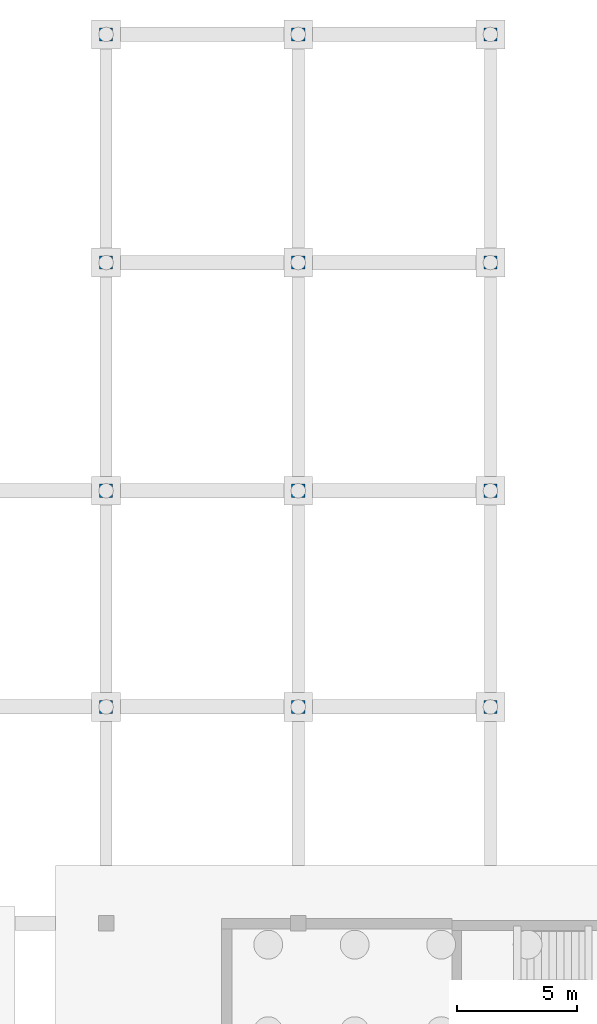
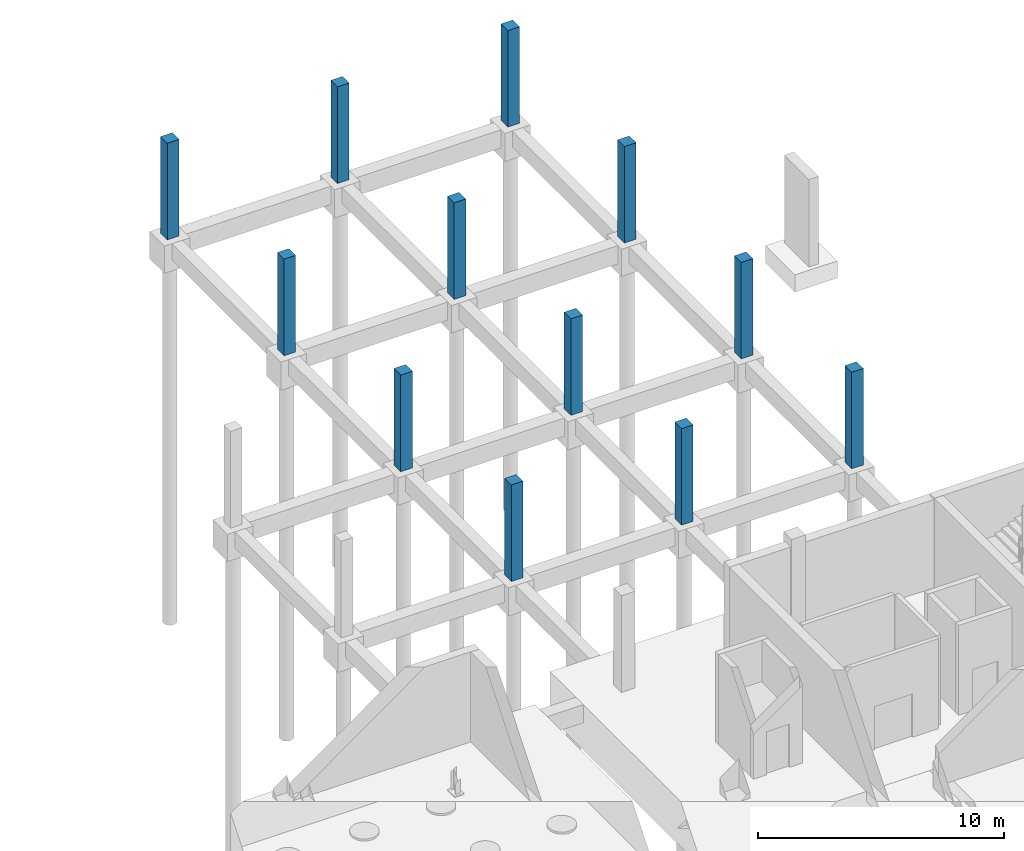
# One storey, part 18 of 32: 12 columns.
"""IFC4 building model written with IfcOpenShell, lengths in metres."""

from ifc_helpers import new_model, si_unit, derived_unit, direction, frame, origin, origin_2d, place, context, subcontext, project, spatial, rectangle, extrude, material, material_profile, profile_set, type_object, element, save


model = new_model("IFC4")

# Units and contexts
model_context = context("Model", 3, precision=1e-05, world=origin(), true_north=direction((0.0, 1.0)))
body_context = subcontext(model_context, "Body", "Model", "MODEL_VIEW")
ifc_project = project(units=[si_unit("LENGTHUNIT", "METRE"), si_unit("AREAUNIT", "SQUARE_METRE"), si_unit("VOLUMEUNIT", "CUBIC_METRE"), si_unit("PLANEANGLEUNIT", "RADIAN"), si_unit("MASSUNIT", "GRAM", prefix="KILO"), derived_unit("THERMALTRANSMITTANCEUNIT", [(si_unit("POWERUNIT", "WATT"), 1), (si_unit("LENGTHUNIT", "METRE"), -2), (si_unit("THERMODYNAMICTEMPERATUREUNIT", "KELVIN"), -1)])], contexts=[model_context])

# Site, building, storey
site_placement = place(None, origin())
site = spatial("IfcSite", under=ifc_project, at=site_placement, CompositionType="ELEMENT")
building_placement = place(site_placement, origin())
building = spatial("IfcBuilding", under=site, at=building_placement, Name="Nallur Shell Playhouse", CompositionType="ELEMENT")
storey_placement = place(building_placement, frame((0.0, 0.0, -4.800048828125)))
storey = spatial("IfcBuildingStorey", under=building, at=storey_placement, Name="B1", CompositionType="ELEMENT", Elevation=-4.800048828125)

# Columns
ifc_material = material(Name="Concrete M35", Category="concrete")
ifc_material_profile = material_profile(ifc_material, rectangle(XDim=0.550048828125, YDim=0.550048828125, at=origin_2d()), Name="RC 550x550")
ifc_profile_set = profile_set([ifc_material_profile], Name="Concrete M35")
column_type = type_object("IfcColumnType", Name="CL-RC-550", PredefinedType="COLUMN", material=ifc_profile_set)
for number, where, z_axis, x_axis, name in (
    (1, (40.0, 92.0, 0.0), (0.0, 0.0, 1.0), (1.0, 0.0, 0.0), "Column 5-L (B1)"),
    (2, (40.0, 101.0, 0.0), (0.0, 0.0, 1.0), (1.0, 0.0, 0.0), "Column 5-M (B1)"),
    (3, (40.0, 110.5, 0.0), (0.0, 0.0, 1.0), (1.0, 0.0, 0.0), "Column 5-N (B1)"),
    (4, (40.0, 120.0, 0.0), (0.0, 0.0, 1.0), (1.0, 0.0, 0.0), "Column 5-P (B1)"),
    (5, (48.0, 92.0, 0.0), (0.0, 0.0, 1.0), (1.0, 0.0, 0.0), "Column 6-L (B1)"),
    (6, (48.0, 101.0, 0.0), (0.0, 0.0, 1.0), (1.0, 0.0, 0.0), "Column 6-M (B1)"),
    (7, (48.0, 110.5, 0.0), (0.0, 0.0, 1.0), (1.0, 0.0, 0.0), "Column 6-N (B1)"),
    (8, (48.0, 120.0, 0.0), (0.0, 0.0, 1.0), (1.0, 0.0, 0.0), "Column 6-P (B1)"),
    (9, (56.0, 92.0, 0.0), (0.0, 0.0, 1.0), (1.0, 0.0, 0.0), "Column 7-L (B1)"),
    (10, (56.0, 101.0, 0.0), (0.0, 0.0, 1.0), (1.0, 0.0, 0.0), "Column 7-M (B1)"),
    (11, (56.0, 110.5, 0.0), (0.0, 0.0, 1.0), (1.0, 0.0, 0.0), "Column 7-N (B1)"),
    (12, (56.0, 120.0, 0.0), (0.0, 0.0, 1.0), (1.0, 0.0, 0.0), "Column 7-P (B1)"),
):
    element("IfcColumn", number, at=place(storey_placement, frame(where, z_axis=z_axis, x_axis=x_axis)), inside=storey, type_object=column_type, Name=name, PredefinedType="COLUMN", context=body_context, shape_type="SweptSolid", body=[
        extrude(rectangle(XDim=0.550048828125, YDim=0.550048828125, at=origin_2d()), origin(), (0.0, 0.0, 1.0), 4.800048828125),
    ])

save(model, "model.ifc")
